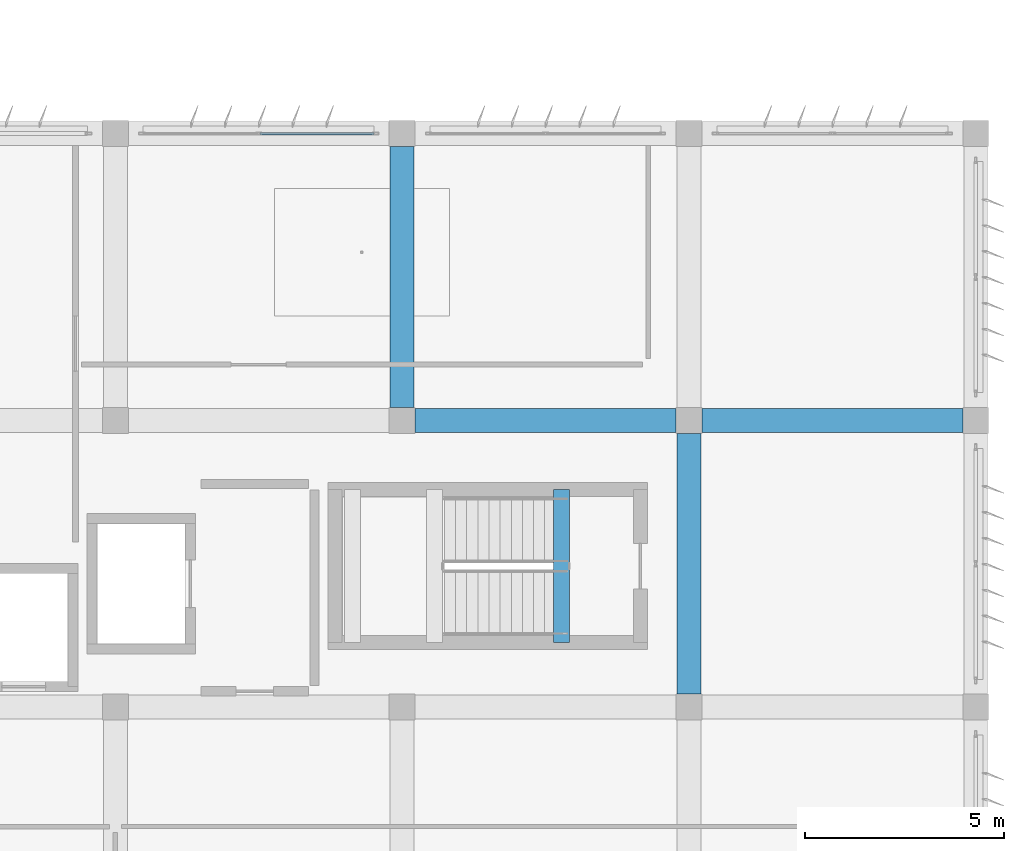
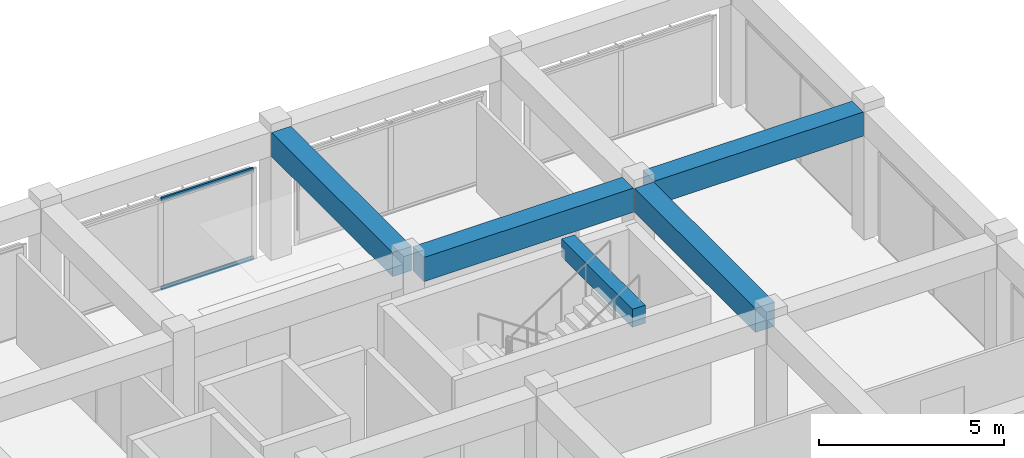
# One storey, part 26 of 56: 5 beams, 2 members, 1 element without a shape of its own.
"""IFC4 building model written with IfcOpenShell, lengths in metres."""

from ifc_helpers import new_model, si_unit, direction, frame, origin, origin_2d, place, context, subcontext, project, spatial, rectangle, hollow_rectangle, extrude, material, material_profile, profile_set, type_object, element, aggregate, save


model = new_model("IFC4")

# Units and contexts
model_context = context("Model", 3, precision=1e-05, world=origin(), true_north=direction((0.0, 1.0)))
body_context = subcontext(model_context, "Body", "Model", "MODEL_VIEW")
ifc_project = project(units=[si_unit("LENGTHUNIT", "METRE"), si_unit("AREAUNIT", "SQUARE_METRE"), si_unit("VOLUMEUNIT", "CUBIC_METRE"), si_unit("PLANEANGLEUNIT", "RADIAN"), si_unit("MASSUNIT", "GRAM", prefix="KILO")], contexts=[model_context])

# Site, building, storey
site_placement = place(None, origin())
site = spatial("IfcSite", under=ifc_project, at=site_placement, CompositionType="ELEMENT")
building_placement = place(site_placement, origin())
building = spatial("IfcBuilding", under=site, at=building_placement, Name="Kazehaya Institute of Natural Sciences", CompositionType="ELEMENT")
storey_placement = place(building_placement, frame((0.0, 0.0, 28.800048828125)))
storey = spatial("IfcBuildingStorey", under=building, at=storey_placement, Name="L06", CompositionType="ELEMENT", Elevation=28.800048828125)

# Beams
ifc_material_1 = material(Name="Concrete Fc36", Category="concrete")
ifc_material_profile_1 = material_profile(ifc_material_1, rectangle(XDim=0.39990234375, YDim=0.60009765625, at=origin_2d()), Name="RC-400x600")
ifc_profile_set_1 = profile_set([ifc_material_profile_1], Name="Concrete Fc36")
beam_type_1 = type_object("IfcBeamType", Name="BM-B-400x600", PredefinedType="BEAM", material=ifc_profile_set_1)
beam_1_placement = place(storey_placement, frame((109.0, 22.820068359375, 4.199951171875), z_axis=(0.0, 1.0, 0.0), x_axis=(-1.0, 0.0, 0.0)))
element("IfcBeam", 1, at=beam_1_placement, inside=storey, type_object=beam_type_1, Name="L07 ST-2 stair header trimmer beam", PredefinedType="BEAM", context=body_context, shape_type="SweptSolid", body=[
    extrude(rectangle(XDim=0.39990234375, YDim=0.60009765625, at=origin_2d()), origin(), (0.0, 0.0, 1.0), 3.83984375),
])
ifc_material_profile_2 = material_profile(ifc_material_1, rectangle(XDim=0.60009765625, YDim=0.800048828125, at=origin_2d()), Name="RC-600x800")
ifc_profile_set_2 = profile_set([ifc_material_profile_2], Name="Concrete Fc36")
beam_type_2 = type_object("IfcBeamType", Name="BM-G-600x800", PredefinedType="BEAM", material=ifc_profile_set_2)
for number, where, z_axis, x_axis, name in (
    (2, (105.324951171875, 28.39990234375, 3.829833984375), (1.0, 0.0, 0.0), (0.0, 1.0, 0.0), "L06 primary X girder BMX-L06-1050-284"),
    (3, (112.52490234375, 28.39990234375, 3.829833984375), (1.0, 0.0, 0.0), (0.0, 1.0, 0.0), "L06 primary X girder BMX-L06-1122-284"),
):
    element("IfcBeam", number, at=place(storey_placement, frame(where, z_axis=z_axis, x_axis=x_axis)), inside=storey, type_object=beam_type_2, Name=name, PredefinedType="BEAM", context=body_context, shape_type="SweptSolid", body=[
        extrude(rectangle(XDim=0.60009765625, YDim=0.800048828125, at=origin_2d()), origin(), (0.0, 0.0, 1.0), 6.550048828125),
    ])
beam_2_placement = place(storey_placement, frame((105.0, 28.72509765625, 3.829833984375), z_axis=(0.0, 1.0, 0.0), x_axis=(-1.0, 0.0, 0.0)))
element("IfcBeam", 4, at=beam_2_placement, inside=storey, type_object=beam_type_2, Name="L06 primary Y girder BMY-L06-1050-284", PredefinedType="BEAM", context=body_context, shape_type="SweptSolid", body=[
    extrude(rectangle(XDim=0.60009765625, YDim=0.800048828125, at=origin_2d()), origin(), (0.0, 0.0, 1.0), 6.5498046875),
])
beam_3_placement = place(storey_placement, frame((112.199951171875, 21.52490234375, 3.829833984375), z_axis=(0.0, 1.0, 0.0), x_axis=(-1.0, 0.0, 0.0)))
element("IfcBeam", 5, at=beam_3_placement, inside=storey, type_object=beam_type_2, Name="L06 primary Y girder BMY-L06-1122-212", PredefinedType="BEAM", context=body_context, shape_type="SweptSolid", body=[
    extrude(rectangle(XDim=0.60009765625, YDim=0.800048828125, at=origin_2d()), origin(), (0.0, 0.0, 1.0), 6.550048828125),
])

# Curtain wall, members
ifc_material_2 = material(Name="Aluminium alloy A6063S-T5", Category="aluminium")
curtain_wall_type = type_object("IfcCurtainWallType", Name="CW-SYS-04", PredefinedType="NOTDEFINED", material=ifc_material_2)
curtain_wall_placement = place(storey_placement, origin())
curtain_wall = element("IfcCurtainWall", 6, at=curtain_wall_placement, inside=storey, type_object=curtain_wall_type, Name="L06 unitised curtain wall CW-L06-135", PredefinedType="NOTDEFINED")
ifc_material_profile_3 = material_profile(ifc_material_2, hollow_rectangle(XDim=0.06005859375, YDim=0.1201171875, WallThickness=0.00341796875, at=origin_2d()), Name="ALU-60x120x3.5")
ifc_profile_set_3 = profile_set([ifc_material_profile_3], Name="Aluminium alloy A6063S-T5")
member_type = type_object("IfcMemberType", Name="CWT-120", PredefinedType="USERDEFINED", material=ifc_profile_set_3)
member_1_placement = place(storey_placement, frame((101.429931640625, 35.60009765625, 0.030029296875), z_axis=(1.0, 0.0, 0.0), x_axis=(0.0, 1.0, 0.0)))
member_1 = element("IfcMember", 7, at=member_1_placement, type_object=member_type, Name="CW04 transom 2.1", ObjectType="TRANSOM", PredefinedType="USERDEFINED", context=body_context, shape_type="SweptSolid", body=[
    extrude(hollow_rectangle(XDim=0.06005859375, YDim=0.1201171875, WallThickness=0.00341796875, at=origin_2d()), origin(), (0.0, 0.0, 1.0), 2.8701171875),
])
member_2_placement = place(storey_placement, frame((101.429931640625, 35.60009765625, 2.969970703125), z_axis=(1.0, 0.0, 0.0), x_axis=(0.0, 1.0, 0.0)))
member_2 = element("IfcMember", 8, at=member_2_placement, type_object=member_type, Name="CW04 transom 2.2", ObjectType="TRANSOM", PredefinedType="USERDEFINED", context=body_context, shape_type="SweptSolid", body=[
    extrude(hollow_rectangle(XDim=0.06005859375, YDim=0.1201171875, WallThickness=0.00341796875, at=origin_2d()), origin(), (0.0, 0.0, 1.0), 2.8701171875),
])
aggregate(curtain_wall, [member_1, member_2])

save(model, "model.ifc")
